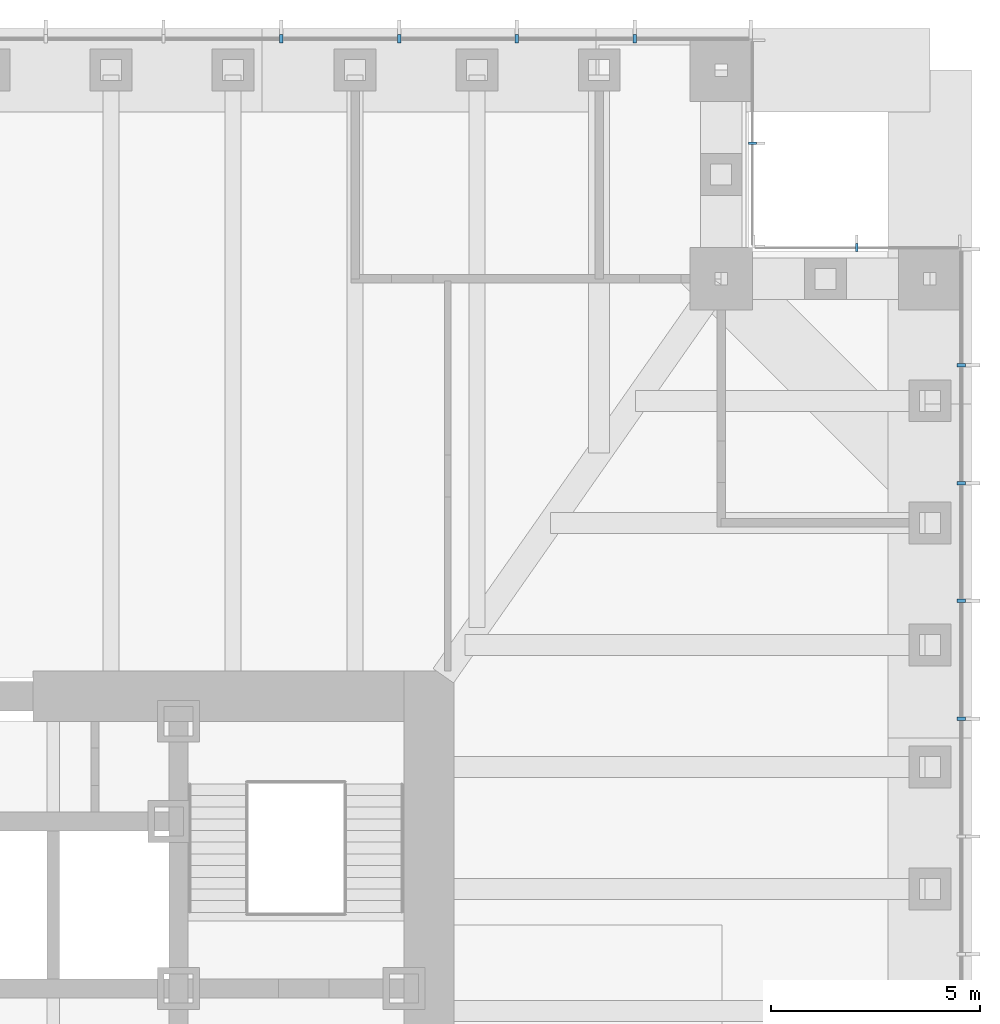
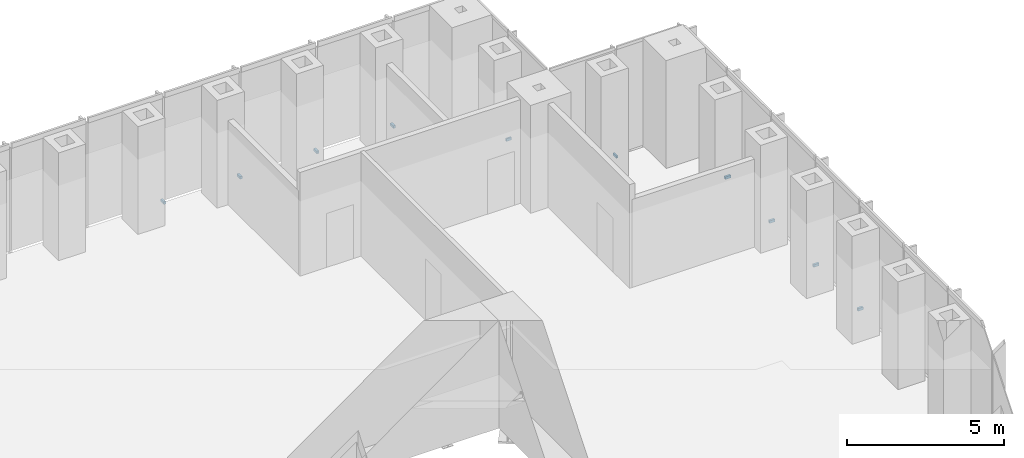
# One storey, part 15 of 16: 10 discrete accessories.
"""IFC4 building model written with IfcOpenShell, lengths in metres."""

import ifcopenshell
import ifcopenshell.guid

model = None  # the IFC model being written
_history = None  # IfcOwnerHistory: only IFC2X3 demands one
_inside = {}  # id of a spatial element -> (the spatial element, [elements in it])
_under = {}  # id of a project, library or spatial element -> (it, [spatial elements below it])
_declared = {}  # id of a project -> (the project, [libraries it declares])
_typed = {}  # id of a type object -> (the type object, [elements of that type])
_made_of = {}  # id of a material, layer set ... -> (it, [elements and type objects made of it])


def new_model(schema):
    """Start an empty IFC model of exactly this schema.

    Asked for "IFC4X3", IfcOpenShell would pick the latest addendum, in which some entities
    have other attributes; the version numbers below select the first issue.
    IFC2X3 requires an IfcOwnerHistory on every rooted entity: one is made here for all.
    """
    global model, _history
    if schema == "IFC4X3":
        model = ifcopenshell.file(schema_version=(4, 3, 0, 0))
    else:
        model = ifcopenshell.file(schema=schema)
    _inside.clear()
    _under.clear()
    _declared.clear()
    _typed.clear()
    _made_of.clear()
    _history = None
    if model.schema == "IFC2X3":
        org = make("IfcOrganization", Name="unknown")
        user = make(
            "IfcPersonAndOrganization",
            ThePerson=make("IfcPerson", FamilyName="unknown"),
            TheOrganization=org,
        )
        app = make(
            "IfcApplication",
            ApplicationDeveloper=org,
            Version="unknown",
            ApplicationFullName="unknown",
            ApplicationIdentifier="unknown",
        )
        _history = make(
            "IfcOwnerHistory",
            OwningUser=user,
            OwningApplication=app,
            ChangeAction="ADDED",
            CreationDate=0,
        )
    return model


def make(cls, **values):
    """One entity of the class cls with the attributes given. An attribute that is None is left unset."""
    return model.create_entity(
        cls, **{name: value for name, value in values.items() if value is not None}
    )


def rooted(cls, **values):
    """An entity with a GlobalId (a new one), such as an element, a storey or a relation."""
    return make(cls, GlobalId=ifcopenshell.guid.new(), OwnerHistory=_history, **values)


def si_unit(unit_type, name, prefix=None):
    """IfcSIUnit, for example si_unit("LENGTHUNIT", "METRE", prefix="MILLI")."""
    return make("IfcSIUnit", UnitType=unit_type, Prefix=prefix, Name=name)


def assignment(units):
    """IfcUnitAssignment: the units of a project."""
    return None if units is None else make("IfcUnitAssignment", Units=units)


def point(xyz):
    """IfcCartesianPoint."""
    return None if xyz is None else make("IfcCartesianPoint", Coordinates=xyz)


def direction(xyz):
    """IfcDirection."""
    return None if xyz is None else make("IfcDirection", DirectionRatios=xyz)


def frame(location, z_axis=None, x_axis=None):
    """IfcAxis2Placement3D, a coordinate frame: its origin and axes. An axis left out is left unset."""
    return make(
        "IfcAxis2Placement3D",
        Location=point(location),
        Axis=direction(z_axis),
        RefDirection=direction(x_axis),
    )


def frame_2d(location, x_axis=None):
    """IfcAxis2Placement2D, a coordinate frame in the plane: its origin and x axis."""
    return make(
        "IfcAxis2Placement2D", Location=point(location), RefDirection=direction(x_axis)
    )


def origin():
    """The frame at (0, 0, 0) with its axes left unset."""
    return frame((0.0, 0.0, 0.0))


def origin_2d():
    """The frame at (0, 0) in the plane with its x axis left unset."""
    return frame_2d((0.0, 0.0))


def place(relative_to, where):
    """IfcLocalPlacement: puts the frame where relative to a parent placement (None: the world)."""
    return make(
        "IfcLocalPlacement", PlacementRelTo=relative_to, RelativePlacement=where
    )


def context(
    kind, dimensions, precision=None, world=None, true_north=None, identifier=None
):
    """IfcGeometricRepresentationContext, for example the 3D "Model" context."""
    return make(
        "IfcGeometricRepresentationContext",
        ContextIdentifier=identifier,
        ContextType=kind,
        CoordinateSpaceDimension=dimensions,
        Precision=precision,
        WorldCoordinateSystem=world,
        TrueNorth=true_north,
    )


def subcontext(parent, identifier, kind, view, scale=None):
    """IfcGeometricRepresentationSubContext, for example "Body" below "Model"."""
    return make(
        "IfcGeometricRepresentationSubContext",
        ContextIdentifier=identifier,
        ContextType=kind,
        ParentContext=parent,
        TargetScale=scale,
        TargetView=view,
    )


def project(units=None, contexts=None):
    """IfcProject with its units and contexts."""
    return rooted(
        "IfcProject",
        Name="project",
        RepresentationContexts=contexts,
        UnitsInContext=assignment(units),
    )


def spatial(cls, under=None, at=None, **own):
    """A site, building, storey or space (cls), placed at a placement, below another one or the project."""
    s = rooted(cls, ObjectPlacement=at, **own)
    if under is not None:
        _under.setdefault(under.id(), (under, []))[1].append(s)
    return s


def profile(cls, at=None, kind="AREA", **sizes):
    """A parametric profile (cls). Its sizes go by their IFC names, for example OverallWidth=200.0."""
    return make(cls, ProfileType=kind, Position=at, **sizes)


def rectangle(**sizes):
    """IfcRectangleProfileDef."""
    return profile("IfcRectangleProfileDef", **sizes)


def extrude(swept, where, along, depth):
    """IfcExtrudedAreaSolid: the profile swept, set in the frame where, extruded along a direction by depth."""
    return make(
        "IfcExtrudedAreaSolid",
        SweptArea=swept,
        Position=where,
        ExtrudedDirection=direction(along),
        Depth=depth,
    )


def shape(context_of_items, identifier, shape_type, items):
    """IfcShapeRepresentation: the items that make up one representation, for example the "Body"."""
    return make(
        "IfcShapeRepresentation",
        ContextOfItems=context_of_items,
        RepresentationIdentifier=identifier,
        RepresentationType=shape_type,
        Items=items,
    )


def made_of(thing, what):
    """Note that an element or type object is made of a material, layer set ...; save() writes the relation."""
    if what is not None:
        _made_of.setdefault(what.id(), (what, []))[1].append(thing)
    return thing


def element(
    cls,
    number,
    at=None,
    inside=None,
    cuts=None,
    type_object=None,
    material=None,
    context=None,
    identifier="Body",
    shape_type=None,
    held_by="IfcProductDefinitionShape",
    body=None,
    shapes=None,
    **own,
):
    """One element of the class cls, such as IfcWall. Its Tag is "e" and its number.

    at: its placement. inside: the storey or other place that contains it. cuts: it is an
    opening in that element (IfcRelVoidsElement). A single representation is given by context,
    identifier, shape_type and body (its items); several are given by shapes. held_by: the class
    of the entity that holds the representations. save() writes the other relations.
    """
    e = rooted(cls, Tag="e%d" % number, ObjectPlacement=at, **own)
    if body is not None:
        shapes = [shape(context, identifier, shape_type, body)]
    if shapes is not None:
        e.Representation = make(held_by, Representations=shapes)
    if inside is not None:
        _inside.setdefault(inside.id(), (inside, []))[1].append(e)
    if cuts is not None:
        rooted(
            "IfcRelVoidsElement", RelatingBuildingElement=cuts, RelatedOpeningElement=e
        )
    if type_object is not None:
        _typed.setdefault(type_object.id(), (type_object, []))[1].append(e)
    return made_of(e, material)


def aggregate(whole, parts):
    """IfcRelAggregates: a whole, such as a stair, and the parts it consists of."""
    return rooted("IfcRelAggregates", RelatingObject=whole, RelatedObjects=parts)


def save(model, path):
    """Write the relations noted so far, then the file.

    IfcRelAggregates (storeys below a building ...), IfcRelContainedInSpatialStructure (elements
    in a storey), IfcRelDefinesByType, IfcRelAssociatesMaterial and IfcRelDeclares: one each for
    every whole, place, type object, material and project.
    """
    for whole, parts in _under.values():
        aggregate(whole, parts)
    for where, things in _inside.values():
        rooted(
            "IfcRelContainedInSpatialStructure",
            RelatedElements=things,
            RelatingStructure=where,
        )
    for kind, things in _typed.values():
        rooted("IfcRelDefinesByType", RelatedObjects=things, RelatingType=kind)
    for what, things in _made_of.values():
        rooted("IfcRelAssociatesMaterial", RelatedObjects=things, RelatingMaterial=what)
    for by, libraries in _declared.values():
        rooted("IfcRelDeclares", RelatingContext=by, RelatedDefinitions=libraries)
    model.write(path)


model = new_model("IFC4")

# Units and contexts
model_context = context("Model", 3, precision=1e-05, world=origin(), true_north=direction((0.0, 1.0)))
body_context = subcontext(model_context, "Body", "Model", "MODEL_VIEW")
ifc_project = project(units=[si_unit("LENGTHUNIT", "METRE"), si_unit("AREAUNIT", "SQUARE_METRE"), si_unit("VOLUMEUNIT", "CUBIC_METRE"), si_unit("PLANEANGLEUNIT", "RADIAN"), si_unit("MASSUNIT", "GRAM", prefix="KILO")], contexts=[model_context])

# Site, building, storey
site_placement = place(None, origin())
site = spatial("IfcSite", under=ifc_project, at=site_placement, CompositionType="ELEMENT")
building_placement = place(site_placement, origin())
building = spatial("IfcBuilding", under=site, at=building_placement, Name="Daluyong Arena Tower", CompositionType="ELEMENT")
storey_placement = place(building_placement, frame((0.0, 0.0, 34.89990234375)))
storey = spatial("IfcBuildingStorey", under=building, at=storey_placement, Name="L06", CompositionType="ELEMENT", Elevation=34.89990234375)

# Discrete accessories
for number, where, z_axis, x_axis, name in (
    (1, (80.75, 88.46435546875, -0.099853515625), (0.0, 0.0, 1.0), (0.0, 1.0, 0.0), "curtain wall L06 E anchor bracket 11"),
    (2, (80.75, 91.28564453125, -0.099853515625), (0.0, 0.0, 1.0), (0.0, 1.0, 0.0), "curtain wall L06 E anchor bracket 12"),
    (3, (80.75, 94.107177734375, -0.099853515625), (0.0, 0.0, 1.0), (0.0, 1.0, 0.0), "curtain wall L06 E anchor bracket 13"),
    (4, (80.75, 96.928466796875, -0.099853515625), (0.0, 0.0, 1.0), (0.0, 1.0, 0.0), "curtain wall L06 E anchor bracket 14"),
):
    element("IfcDiscreteAccessory", number, at=place(storey_placement, frame(where, z_axis=z_axis, x_axis=x_axis)), inside=storey, Name=name, PredefinedType="BRACKET", context=body_context, shape_type="SweptSolid", body=[
        extrude(rectangle(XDim=0.080078125, YDim=0.199951171875, at=origin_2d()), origin(), (0.0, 0.0, 1.0), 0.10009765625),
    ])
for number, where, z_axis, x_axis, name in (
    (5, (78.25, 99.75, -0.099853515625), (0.0, 0.0, 1.0), (-1.0, 0.0, 0.0), "curtain wall L06 NE-N anchor bracket 2"),
    (6, (75.75, 102.25, -0.099853515625), (0.0, 0.0, 1.0), (0.0, 1.0, 0.0), "curtain wall L06 NE-E anchor bracket 2"),
):
    element("IfcDiscreteAccessory", number, at=place(storey_placement, frame(where, z_axis=z_axis, x_axis=x_axis)), inside=storey, Name=name, PredefinedType="BRACKET", context=body_context, shape_type="SweptSolid", body=[
        extrude(rectangle(XDim=0.06005859375, YDim=0.199951171875, at=origin_2d()), origin(), (0.0, 0.0, 1.0), 0.10009765625),
    ])
for number, where, z_axis, x_axis, name in (
    (7, (72.928466796875, 104.75, -0.099853515625), (0.0, 0.0, 1.0), (-1.0, 0.0, 0.0), "curtain wall L06 N anchor bracket 2"),
    (8, (70.107177734375, 104.75, -0.099853515625), (0.0, 0.0, 1.0), (-1.0, 0.0, 0.0), "curtain wall L06 N anchor bracket 3"),
    (9, (67.28564453125, 104.75, -0.099853515625), (0.0, 0.0, 1.0), (-1.0, 0.0, 0.0), "curtain wall L06 N anchor bracket 4"),
    (10, (64.46435546875, 104.75, -0.099853515625), (0.0, 0.0, 1.0), (-1.0, 0.0, 0.0), "curtain wall L06 N anchor bracket 5"),
):
    element("IfcDiscreteAccessory", number, at=place(storey_placement, frame(where, z_axis=z_axis, x_axis=x_axis)), inside=storey, Name=name, PredefinedType="BRACKET", context=body_context, shape_type="SweptSolid", body=[
        extrude(rectangle(XDim=0.080078125, YDim=0.199951171875, at=origin_2d()), origin(), (0.0, 0.0, 1.0), 0.10009765625),
    ])

save(model, "model.ifc")
